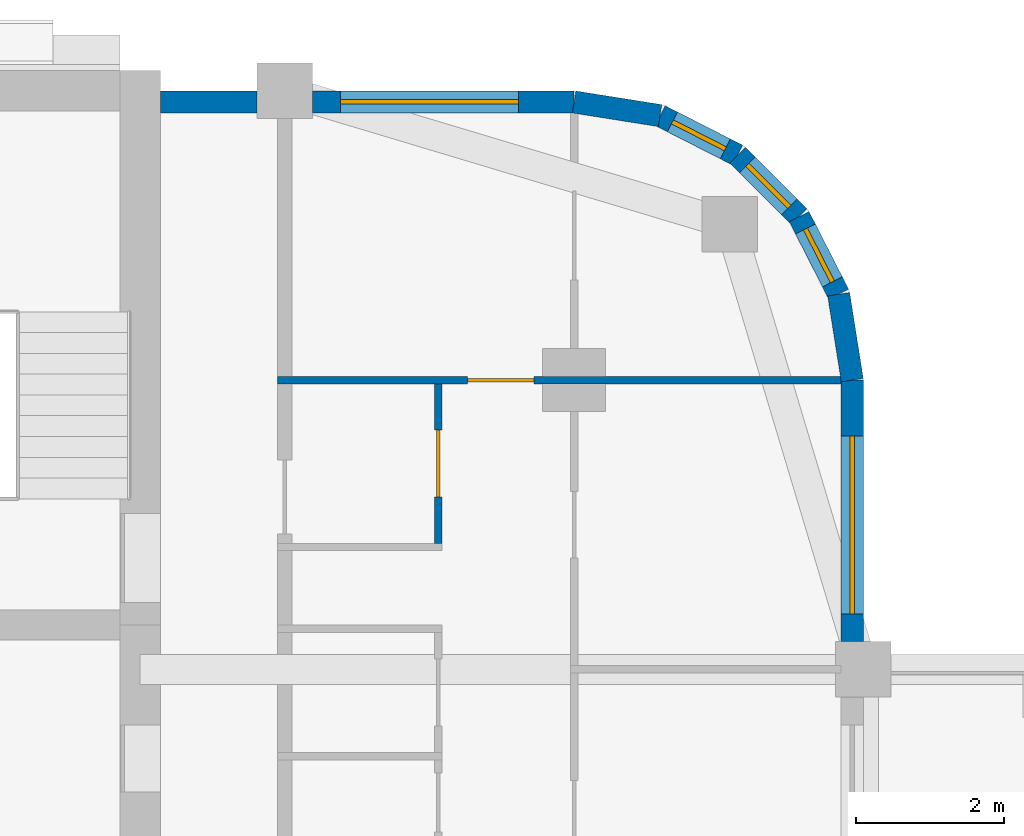
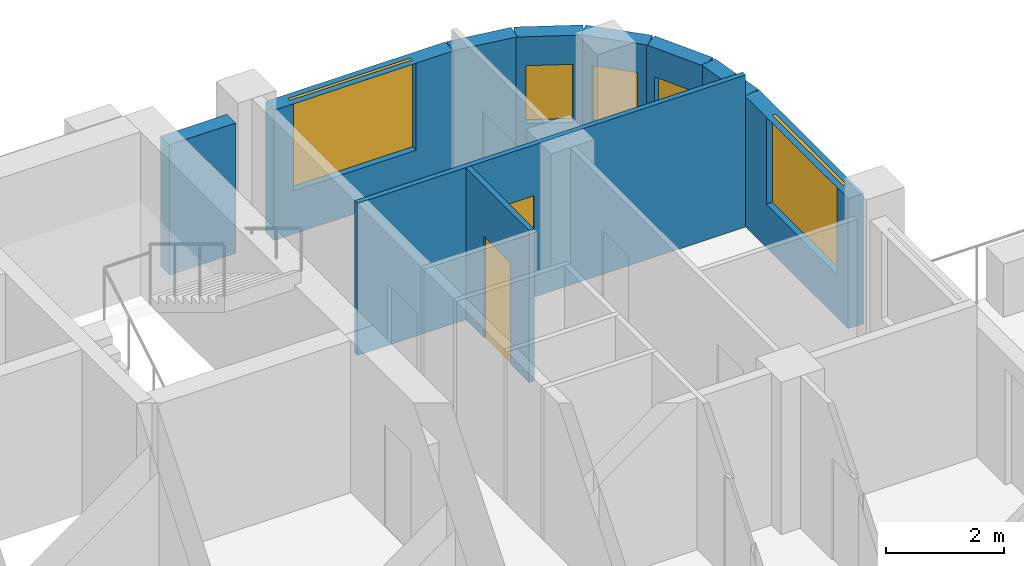
# One storey, part 9 of 13: 10 walls, 5 windows, 2 doors, 7 openings.
"""IFC4 building model written with IfcOpenShell, lengths in metres."""

from ifc_helpers import new_model, si_unit, direction, frame, frame_2d, origin, place, context, subcontext, project, spatial, rectangle, extrude, material, layer, layer_set, type_object, element, fill, save


model = new_model("IFC4")

# Units and contexts
model_context = context("Model", 3, precision=1e-05, world=origin(), true_north=direction((0.0, 1.0)))
body_context = subcontext(model_context, "Body", "Model", "MODEL_VIEW")
ifc_project = project(units=[si_unit("LENGTHUNIT", "METRE"), si_unit("AREAUNIT", "SQUARE_METRE"), si_unit("VOLUMEUNIT", "CUBIC_METRE"), si_unit("PLANEANGLEUNIT", "RADIAN"), si_unit("MASSUNIT", "GRAM", prefix="KILO")], contexts=[model_context])

# Site, building, storey
site_placement = place(None, origin())
site = spatial("IfcSite", under=ifc_project, at=site_placement, CompositionType="ELEMENT")
building_placement = place(site_placement, origin())
building = spatial("IfcBuilding", under=site, at=building_placement, Name="Ludao Terraces", CompositionType="ELEMENT")
storey_placement = place(building_placement, frame((0.0, 0.0, 186.0)))
storey = spatial("IfcBuildingStorey", under=building, at=storey_placement, Name="L50", CompositionType="ELEMENT", Elevation=186.0)

# Wall, opening, window
ifc_material_1 = material(Name="Granite cladding", Category="masonry")
ifc_layer_1 = layer(ifc_material_1, 0.0400390625, Category="stone")
ifc_material_2 = material(Name="Mineral wool")
ifc_layer_2 = layer(ifc_material_2, 0.06005859375)
ifc_material_3 = material(Name="Concrete C40", Category="concrete")
ifc_layer_3 = layer(ifc_material_3, 0.199951171875, Category="concrete")
ifc_layer_set_1 = layer_set([ifc_layer_1, ifc_layer_2, ifc_layer_3], Name="ENV Stone-clad wall 300")
wall_type_1 = type_object("IfcWallType", Name="ENV Stone-clad wall 300", PredefinedType="SOLIDWALL", material=ifc_layer_set_1)
wall_1_placement = place(storey_placement, frame((104.35009765625, 77.074951171875, 0.0), z_axis=(0.0, 0.0, 1.0), x_axis=(0.0, 1.0, 0.0)))
wall_1 = element("IfcWall", 1, at=wall_1_placement, inside=storey, type_object=wall_type_1, Name="EW-L50-E5", PredefinedType="SOLIDWALL", context=body_context, shape_type="SweptSolid", body=[
    extrude(rectangle(XDim=3.525146484375, YDim=0.300048828125, at=frame_2d((1.7626953125, 0.0))), origin(), (0.0, 0.0, 1.0), 2.699951171875),
])
opening_1_placement = place(wall_1_placement, frame((0.375, 0.0, 0.89990234375)))
opening_1 = element("IfcOpeningElement", 2, at=opening_1_placement, cuts=wall_1, Name="Opening W1", PredefinedType="OPENING", context=body_context, shape_type="SweptSolid", body=[
    extrude(rectangle(XDim=2.39990234375, YDim=1.800048828125, at=frame_2d((1.199951171875, 0.89990234375))), frame((0.0, 0.16015625, 0.0), z_axis=(0.0, -1.0, 0.0), x_axis=(1.0, 0.0, 0.0)), (0.0, 0.0, 1.0), 0.320068359375),
])
ifc_material_4 = material(Name="Clear glass in aluminium frame", Category="aluminium")
ifc_layer_4 = layer(ifc_material_4, 0.06005859375)
ifc_layer_set_2 = layer_set([ifc_layer_4], Name="ENV Window W1 2400x1800")
window_type_1 = type_object("IfcWindowType", Name="ENV Window W1 2400x1800", PartitioningType="DOUBLE_PANEL_VERTICAL", PredefinedType="WINDOW", material=ifc_layer_set_2)
window_1_placement = place(opening_1_placement, origin())
window_1 = element("IfcWindow", 3, at=window_1_placement, inside=storey, type_object=window_type_1, Name="W-L50-E5-1", OverallHeight=1.800048828125, OverallWidth=2.39990234375, PartitioningType="DOUBLE_PANEL_VERTICAL", PredefinedType="WINDOW", context=body_context, shape_type="SweptSolid", body=[
    extrude(rectangle(XDim=2.39990234375, YDim=1.800048828125, at=frame_2d((1.199951171875, 0.89990234375))), frame((0.0, 0.030029296875, 0.0), z_axis=(0.0, -1.0, 0.0), x_axis=(1.0, 0.0, 0.0)), (0.0, 0.0, 1.0), 0.06005859375),
])
fill(opening_1, window_1)

# Wall
wall_2_placement = place(storey_placement, frame((95.02490234375, 84.35009765625, 0.0), z_axis=(0.0, 0.0, 1.0), x_axis=(1.0, 0.0, 0.0)))
element("IfcWall", 4, at=wall_2_placement, inside=storey, type_object=wall_type_1, Name="EW-L50-N3", PredefinedType="SOLIDWALL", context=body_context, shape_type="SweptSolid", body=[
    extrude(rectangle(XDim=1.300048828125, YDim=0.300048828125, at=frame_2d((0.64990234375, 0.0))), origin(), (0.0, 0.0, 1.0), 2.699951171875),
])

# Wall, opening, window
wall_3_placement = place(storey_placement, frame((97.074951171875, 84.35009765625, 0.0), z_axis=(0.0, 0.0, 1.0), x_axis=(1.0, 0.0, 0.0)))
wall_3 = element("IfcWall", 5, at=wall_3_placement, inside=storey, type_object=wall_type_1, Name="EW-L50-N4", PredefinedType="SOLIDWALL", context=body_context, shape_type="SweptSolid", body=[
    extrude(rectangle(XDim=3.525146484375, YDim=0.300048828125, at=frame_2d((1.7626953125, 0.0))), origin(), (0.0, 0.0, 1.0), 2.699951171875),
])
opening_2_placement = place(wall_3_placement, frame((0.375, 0.0, 0.89990234375)))
opening_2 = element("IfcOpeningElement", 6, at=opening_2_placement, cuts=wall_3, Name="Opening W1", PredefinedType="OPENING", context=body_context, shape_type="SweptSolid", body=[
    extrude(rectangle(XDim=2.39990234375, YDim=1.800048828125, at=frame_2d((1.199951171875, 0.89990234375))), frame((0.0, 0.16015625, 0.0), z_axis=(0.0, -1.0, 0.0), x_axis=(1.0, 0.0, 0.0)), (0.0, 0.0, 1.0), 0.320068359375),
])
window_2_placement = place(opening_2_placement, origin())
window_2 = element("IfcWindow", 7, at=window_2_placement, inside=storey, type_object=window_type_1, Name="W-L50-N4-1", OverallHeight=1.800048828125, OverallWidth=2.39990234375, PartitioningType="DOUBLE_PANEL_VERTICAL", PredefinedType="WINDOW", context=body_context, shape_type="SweptSolid", body=[
    extrude(rectangle(XDim=2.39990234375, YDim=1.800048828125, at=frame_2d((1.199951171875, 0.89990234375))), frame((0.0, 0.030029296875, 0.0), z_axis=(0.0, -1.0, 0.0), x_axis=(1.0, 0.0, 0.0)), (0.0, 0.0, 1.0), 0.06005859375),
])
fill(opening_2, window_2)

# Wall
wall_4_placement = place(storey_placement, frame((104.35009765625, 80.60009765625, 0.0), z_axis=(0.0, 0.0, 1.0), x_axis=(-0.156496880861, 0.987678452879, 0.0)))
element("IfcWall", 8, at=wall_4_placement, inside=storey, type_object=wall_type_1, Name="EW-L50-NE1", PredefinedType="SOLIDWALL", context=body_context, shape_type="SweptSolid", body=[
    extrude(rectangle(XDim=1.173095703125, YDim=0.300048828125, at=frame_2d((0.58642578125, 0.0))), origin(), (0.0, 0.0, 1.0), 2.699951171875),
])

# Wall, opening, window
wall_5_placement = place(storey_placement, frame((104.16650390625, 81.7587890625, 0.0), z_axis=(0.0, 0.0, 1.0), x_axis=(-0.454025524128, 0.890988677504, 0.0)))
wall_5 = element("IfcWall", 9, at=wall_5_placement, inside=storey, type_object=wall_type_1, Name="EW-L50-NE2", PredefinedType="SOLIDWALL", context=body_context, shape_type="SweptSolid", body=[
    extrude(rectangle(XDim=1.17333984375, YDim=0.300048828125, at=frame_2d((0.586669921875, 0.0))), origin(), (0.0, 0.0, 1.0), 2.699951171875),
])
opening_3_placement = place(wall_5_placement, frame((0.1865234375, 0.0, 0.89990234375)))
opening_3 = element("IfcOpeningElement", 10, at=opening_3_placement, cuts=wall_5, Name="Opening W3", PredefinedType="OPENING", context=body_context, shape_type="SweptSolid", body=[
    extrude(rectangle(XDim=0.800048828125, YDim=1.199951171875, at=frame_2d((0.39990234375, 0.60009765625))), frame((0.0, 0.16015625, 0.0), z_axis=(0.0, -1.0, 0.0), x_axis=(1.0, 0.0, 0.0)), (0.0, 0.0, 1.0), 0.320068359375),
])
ifc_layer_5 = layer(ifc_material_4, 0.06005859375)
ifc_layer_set_3 = layer_set([ifc_layer_5], Name="ENV Window W3 800x1200")
window_type_2 = type_object("IfcWindowType", Name="ENV Window W3 800x1200", PartitioningType="SINGLE_PANEL", PredefinedType="WINDOW", material=ifc_layer_set_3)
window_3_placement = place(opening_3_placement, origin())
window_3 = element("IfcWindow", 11, at=window_3_placement, inside=storey, type_object=window_type_2, Name="W-L50-NE2", OverallHeight=1.199951171875, OverallWidth=0.800048828125, PartitioningType="SINGLE_PANEL", PredefinedType="WINDOW", context=body_context, shape_type="SweptSolid", body=[
    extrude(rectangle(XDim=0.800048828125, YDim=1.199951171875, at=frame_2d((0.39990234375, 0.60009765625))), frame((0.0, 0.030029296875, 0.0), z_axis=(0.0, -1.0, 0.0), x_axis=(1.0, 0.0, 0.0)), (0.0, 0.0, 1.0), 0.06005859375),
])
fill(opening_3, window_3)

wall_6_placement = place(storey_placement, frame((103.6337890625, 82.80419921875, 0.0), z_axis=(0.0, 0.0, 1.0), x_axis=(-0.707106781187, 0.707106781187, 0.0)))
wall_6 = element("IfcWall", 12, at=wall_6_placement, inside=storey, type_object=wall_type_1, Name="EW-L50-NE3", PredefinedType="SOLIDWALL", context=body_context, shape_type="SweptSolid", body=[
    extrude(rectangle(XDim=1.173095703125, YDim=0.300048828125, at=frame_2d((0.58642578125, 0.0))), origin(), (0.0, 0.0, 1.0), 2.699951171875),
])
opening_4_placement = place(wall_6_placement, frame((0.1865234375, 0.0, 0.89990234375)))
opening_4 = element("IfcOpeningElement", 13, at=opening_4_placement, cuts=wall_6, Name="Opening W3", PredefinedType="OPENING", context=body_context, shape_type="SweptSolid", body=[
    extrude(rectangle(XDim=0.800048828125, YDim=1.199951171875, at=frame_2d((0.39990234375, 0.60009765625))), frame((0.0, 0.16015625, 0.0), z_axis=(0.0, -1.0, 0.0), x_axis=(1.0, 0.0, 0.0)), (0.0, 0.0, 1.0), 0.320068359375),
])
window_4_placement = place(opening_4_placement, origin())
window_4 = element("IfcWindow", 14, at=window_4_placement, inside=storey, type_object=window_type_2, Name="W-L50-NE3", OverallHeight=1.199951171875, OverallWidth=0.800048828125, PartitioningType="SINGLE_PANEL", PredefinedType="WINDOW", context=body_context, shape_type="SweptSolid", body=[
    extrude(rectangle(XDim=0.800048828125, YDim=1.199951171875, at=frame_2d((0.39990234375, 0.60009765625))), frame((0.0, 0.030029296875, 0.0), z_axis=(0.0, -1.0, 0.0), x_axis=(1.0, 0.0, 0.0)), (0.0, 0.0, 1.0), 0.06005859375),
])
fill(opening_4, window_4)

wall_7_placement = place(storey_placement, frame((102.80419921875, 83.6337890625, 0.0), z_axis=(0.0, 0.0, 1.0), x_axis=(-0.890988677504, 0.454025524128, 0.0)))
wall_7 = element("IfcWall", 15, at=wall_7_placement, inside=storey, type_object=wall_type_1, Name="EW-L50-NE4", PredefinedType="SOLIDWALL", context=body_context, shape_type="SweptSolid", body=[
    extrude(rectangle(XDim=1.17333984375, YDim=0.300048828125, at=frame_2d((0.586669921875, 0.0))), origin(), (0.0, 0.0, 1.0), 2.699951171875),
])
opening_5_placement = place(wall_7_placement, frame((0.1865234375, 0.0, 0.89990234375)))
opening_5 = element("IfcOpeningElement", 16, at=opening_5_placement, cuts=wall_7, Name="Opening W3", PredefinedType="OPENING", context=body_context, shape_type="SweptSolid", body=[
    extrude(rectangle(XDim=0.800048828125, YDim=1.199951171875, at=frame_2d((0.39990234375, 0.60009765625))), frame((0.0, 0.16015625, 0.0), z_axis=(0.0, -1.0, 0.0), x_axis=(1.0, 0.0, 0.0)), (0.0, 0.0, 1.0), 0.320068359375),
])
window_5_placement = place(opening_5_placement, origin())
window_5 = element("IfcWindow", 17, at=window_5_placement, inside=storey, type_object=window_type_2, Name="W-L50-NE4", OverallHeight=1.199951171875, OverallWidth=0.800048828125, PartitioningType="SINGLE_PANEL", PredefinedType="WINDOW", context=body_context, shape_type="SweptSolid", body=[
    extrude(rectangle(XDim=0.800048828125, YDim=1.199951171875, at=frame_2d((0.39990234375, 0.60009765625))), frame((0.0, 0.030029296875, 0.0), z_axis=(0.0, -1.0, 0.0), x_axis=(1.0, 0.0, 0.0)), (0.0, 0.0, 1.0), 0.06005859375),
])
fill(opening_5, window_5)

# Wall
wall_8_placement = place(storey_placement, frame((101.7587890625, 84.16650390625, 0.0), z_axis=(0.0, 0.0, 1.0), x_axis=(-0.987678452879, 0.156496880861, 0.0)))
element("IfcWall", 18, at=wall_8_placement, inside=storey, type_object=wall_type_1, Name="EW-L50-NE5", PredefinedType="SOLIDWALL", context=body_context, shape_type="SweptSolid", body=[
    extrude(rectangle(XDim=1.173095703125, YDim=0.300048828125, at=frame_2d((0.58642578125, 0.0))), origin(), (0.0, 0.0, 1.0), 2.699951171875),
])

# Wall, opening, door
ifc_material_5 = material(Name="Gypsum plasterboard", Category="gypsum")
ifc_layer_6 = layer(ifc_material_5, 0.012451171875, Category="gypsum")
ifc_layer_7 = layer(ifc_material_2, 0.06005859375, Name="insulation")
ifc_material_6 = material(Name="Steel Q235", Category="steel")
ifc_layer_8 = layer(ifc_material_6, 0.014892578125, Name="stud")
ifc_layer_9 = layer(ifc_material_5, 0.012451171875, Category="gypsum")
ifc_layer_set_4 = layer_set([ifc_layer_6, ifc_layer_7, ifc_layer_8, ifc_layer_9], Name="INT Partition 100")
wall_type_2 = type_object("IfcWallType", Name="INT Partition 100", PredefinedType="PARTITIONING", material=ifc_layer_set_4)
wall_9_placement = place(storey_placement, frame((96.60009765625, 80.60009765625, 0.0), z_axis=(0.0, 0.0, 1.0), x_axis=(1.0, 0.0, 0.0)))
wall_9 = element("IfcWall", 19, at=wall_9_placement, inside=storey, type_object=wall_type_2, Name="PW-L50-PW048", PredefinedType="PARTITIONING", context=body_context, shape_type="SweptSolid", body=[
    extrude(rectangle(XDim=7.60009765625, YDim=0.10009765625, at=frame_2d((3.800048828125, 0.0))), origin(), (0.0, 0.0, 1.0), 3.14990234375),
])
opening_6_placement = place(wall_9_placement, frame((2.56005859375, 0.0, 0.0)))
opening_6 = element("IfcOpeningElement", 20, at=opening_6_placement, cuts=wall_9, Name="Opening R18-087", PredefinedType="OPENING", context=body_context, shape_type="SweptSolid", body=[
    extrude(rectangle(XDim=0.89990234375, YDim=2.10009765625, at=frame_2d((0.449951171875, 1.050048828125))), frame((0.0, 0.06005859375, 0.0), z_axis=(0.0, -1.0, 0.0), x_axis=(1.0, 0.0, 0.0)), (0.0, 0.0, 1.0), 0.1201171875),
])
ifc_material_7 = material(Name="Timber door leaf", Category="wood")
door_type_1 = type_object("IfcDoorType", Name="INT Room door 900", OperationType="SINGLE_SWING_LEFT", PredefinedType="DOOR", material=ifc_material_7)
door_1_placement = place(opening_6_placement, origin())
door_1 = element("IfcDoor", 21, at=door_1_placement, inside=storey, type_object=door_type_1, Name="DOOR 087", OperationType="SINGLE_SWING_RIGHT", OverallHeight=2.10009765625, OverallWidth=0.89990234375, PredefinedType="DOOR", context=body_context, shape_type="SweptSolid", body=[
    extrude(rectangle(XDim=0.89990234375, YDim=2.10009765625, at=frame_2d((0.449951171875, 1.050048828125))), frame((0.0, 0.02490234375, 0.0), z_axis=(0.0, -1.0, 0.0), x_axis=(1.0, 0.0, 0.0)), (0.0, 0.0, 1.0), 0.050048828125),
])
fill(opening_6, door_1)

wall_10_placement = place(storey_placement, frame((98.77001953125, 78.400146484375, 0.0), z_axis=(0.0, 0.0, 1.0), x_axis=(0.0, 1.0, 0.0)))
wall_10 = element("IfcWall", 22, at=wall_10_placement, inside=storey, type_object=wall_type_2, Name="PW-L50-PW063", PredefinedType="PARTITIONING", context=body_context, shape_type="SweptSolid", body=[
    extrude(rectangle(XDim=2.14990234375, YDim=0.10009765625, at=frame_2d((1.074951171875, 0.0))), origin(), (0.0, 0.0, 1.0), 3.14990234375),
])
opening_7_placement = place(wall_10_placement, frame((0.625, 0.0, 0.0)))
opening_7 = element("IfcOpeningElement", 23, at=opening_7_placement, cuts=wall_10, Name="Opening R18-083", PredefinedType="OPENING", context=body_context, shape_type="SweptSolid", body=[
    extrude(rectangle(XDim=0.89990234375, YDim=2.10009765625, at=frame_2d((0.449951171875, 1.050048828125))), frame((0.0, 0.06005859375, 0.0), z_axis=(0.0, -1.0, 0.0), x_axis=(1.0, 0.0, 0.0)), (0.0, 0.0, 1.0), 0.1201171875),
])
door_type_2 = type_object("IfcDoorType", Name="INT Bathroom door 900", OperationType="SINGLE_SWING_LEFT", PredefinedType="DOOR", material=ifc_material_7)
door_2_placement = place(opening_7_placement, origin())
door_2 = element("IfcDoor", 24, at=door_2_placement, inside=storey, type_object=door_type_2, Name="DOOR 083", OperationType="SINGLE_SWING_LEFT", OverallHeight=2.10009765625, OverallWidth=0.89990234375, PredefinedType="DOOR", context=body_context, shape_type="SweptSolid", body=[
    extrude(rectangle(XDim=0.89990234375, YDim=2.10009765625, at=frame_2d((0.449951171875, 1.050048828125))), frame((0.0, 0.02490234375, 0.0), z_axis=(0.0, -1.0, 0.0), x_axis=(1.0, 0.0, 0.0)), (0.0, 0.0, 1.0), 0.050048828125),
])
fill(opening_7, door_2)

save(model, "model.ifc")
